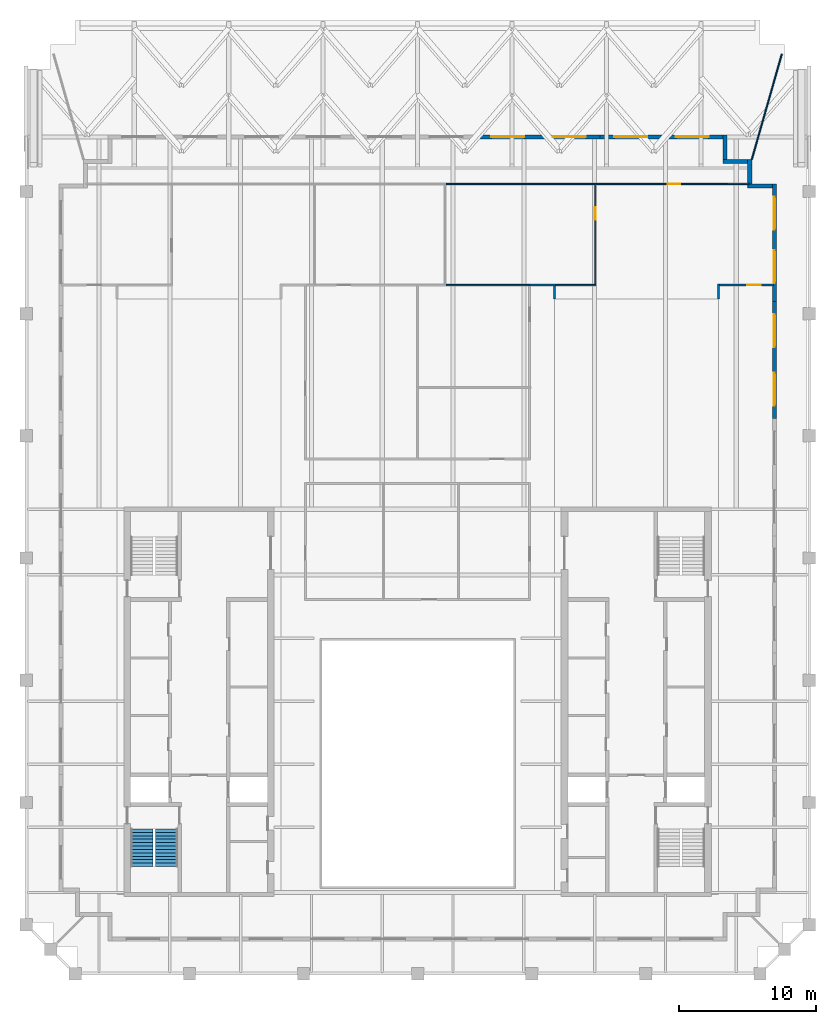
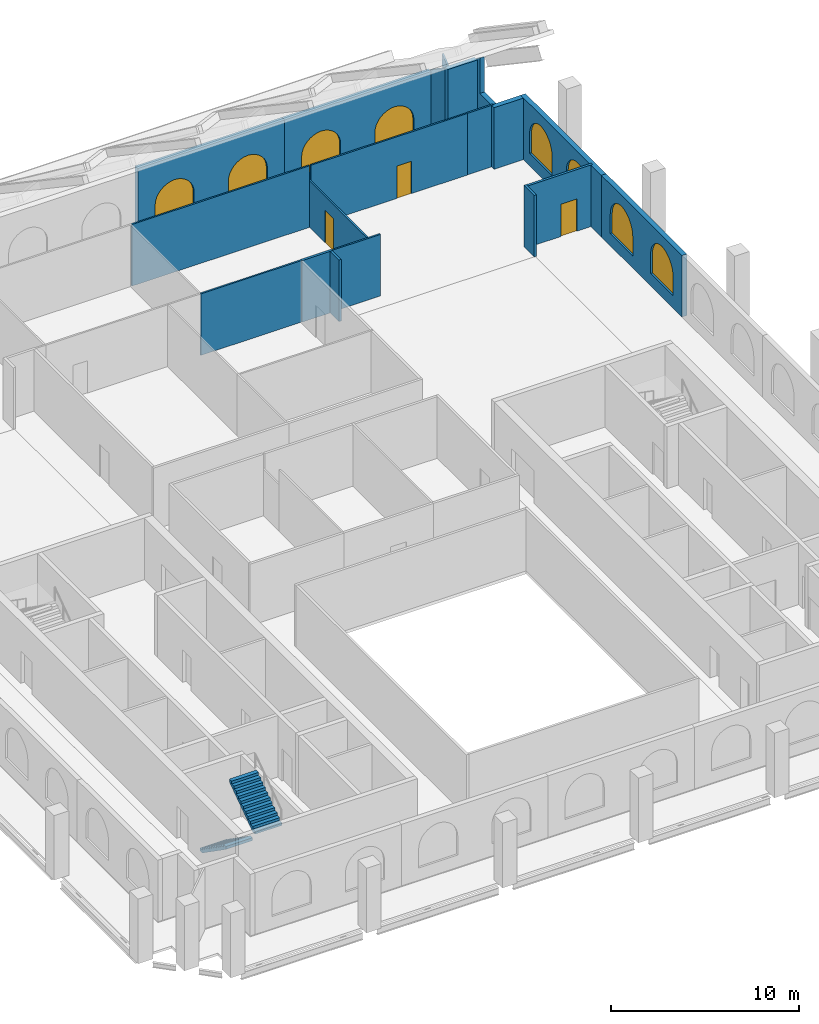
# One storey, part 8 of 10: 19 walls, 8 windows, 3 doors, 2 stair flights, 11 openings, 1 element without a shape of its own.
"""IFC4 building model written with IfcOpenShell, lengths in metres."""

from ifc_helpers import new_model, si_unit, direction, frame, frame_2d, origin, place, context, subcontext, project, spatial, polyline, rectangle, outline, extrude, material, layer, layer_set, type_object, element, fill, aggregate, save


model = new_model("IFC4")

# Units and contexts
model_context = context("Model", 3, precision=1e-05, world=origin(), true_north=direction((0.0, 1.0)))
body_context = subcontext(model_context, "Body", "Model", "MODEL_VIEW")
ifc_project = project(units=[si_unit("LENGTHUNIT", "METRE"), si_unit("AREAUNIT", "SQUARE_METRE"), si_unit("VOLUMEUNIT", "CUBIC_METRE"), si_unit("PLANEANGLEUNIT", "RADIAN"), si_unit("MASSUNIT", "GRAM", prefix="KILO")], contexts=[model_context])

# Site, building, storey
site_placement = place(None, origin())
site = spatial("IfcSite", under=ifc_project, at=site_placement, CompositionType="ELEMENT")
building_placement = place(site_placement, origin())
building = spatial("IfcBuilding", under=site, at=building_placement, Name="Ogive Exchange Tower", CompositionType="ELEMENT")
storey_placement = place(building_placement, frame((0.0, 0.0, 369.0)))
storey = spatial("IfcBuildingStorey", under=building, at=storey_placement, Name="C01", CompositionType="ELEMENT", Elevation=369.0)

# Walls
ifc_material_1 = material(Name="Fire partition EI 60 150")
ifc_layer_1 = layer(ifc_material_1, 0.14990234375)
ifc_layer_set_1 = layer_set([ifc_layer_1], Name="Fire partition EI 60 150")
wall_type_1 = type_object("IfcWallType", Name="Fire partition EI 60 150", PredefinedType="PARTITIONING", material=ifc_layer_set_1)
wall_1_placement = place(storey_placement, frame((8.199951171875, 42.0, 0.0), z_axis=(0.0, 0.0, 1.0), x_axis=(1.0, 0.0, 0.0)))
element("IfcWall", 1, at=wall_1_placement, inside=storey, type_object=wall_type_1, Name="C01-PWL-035", PredefinedType="PARTITIONING", context=body_context, shape_type="SweptSolid", body=[
    extrude(rectangle(XDim=1.875, YDim=0.14990234375, at=frame_2d((0.9375, 0.0))), origin(), (0.0, 0.0, 1.0), 4.0),
])
wall_2_placement = place(storey_placement, frame((10.0, 41.925048828125, 0.0), z_axis=(0.0, 0.0, 1.0), x_axis=(0.0, -1.0, 0.0)))
element("IfcWall", 2, at=wall_2_placement, inside=storey, type_object=wall_type_1, Name="C01-PWL-036", PredefinedType="PARTITIONING", context=body_context, shape_type="SweptSolid", body=[
    extrude(rectangle(XDim=0.93505859375, YDim=0.14990234375, at=frame_2d((0.467529296875, 0.0))), origin(), (0.0, 0.0, 1.0), 4.0),
])
wall_3_placement = place(storey_placement, frame((22.0, 40.989990234375, 0.0), z_axis=(0.0, 0.0, 1.0), x_axis=(0.0, 1.0, 0.0)))
element("IfcWall", 3, at=wall_3_placement, inside=storey, type_object=wall_type_1, Name="C01-PWL-040", PredefinedType="PARTITIONING", context=body_context, shape_type="SweptSolid", body=[
    extrude(rectangle(XDim=1.0849609375, YDim=0.14990234375, at=frame_2d((0.54248046875, 0.0))), origin(), (0.0, 0.0, 1.0), 4.0),
])

# Wall, opening, door
wall_4_placement = place(storey_placement, frame((22.074951171875, 42.0, 0.0), z_axis=(0.0, 0.0, 1.0), x_axis=(1.0, 0.0, 0.0)))
wall_4 = element("IfcWall", 4, at=wall_4_placement, inside=storey, type_object=wall_type_1, Name="C01-PWL-041", PredefinedType="PARTITIONING", context=body_context, shape_type="SweptSolid", body=[
    extrude(rectangle(XDim=3.97509765625, YDim=0.14990234375, at=frame_2d((1.987548828125, 0.0))), origin(), (0.0, 0.0, 1.0), 4.0),
])
opening_1_placement = place(wall_4_placement, frame((2.02490234375, 0.0, 0.0)))
opening_1 = element("IfcOpeningElement", 5, at=opening_1_placement, cuts=wall_4, Name="Opening C01-I05", PredefinedType="OPENING", context=body_context, shape_type="SweptSolid", body=[
    extrude(rectangle(XDim=1.0, YDim=2.10009765625, at=frame_2d((0.5, 1.050048828125))), frame((0.0, 0.0849609375, 0.0), z_axis=(0.0, -1.0, 0.0), x_axis=(1.0, 0.0, 0.0)), (0.0, 0.0, 1.0), 0.169921875),
])
ifc_material_2 = material(Name="Fire door FD 30S 1000 x 2100")
door_type_1 = type_object("IfcDoorType", Name="Fire door FD 30S 1000 x 2100", OperationType="NOTDEFINED", PredefinedType="DOOR", material=ifc_material_2)
door_1_placement = place(opening_1_placement, origin())
door_1 = element("IfcDoor", 6, at=door_1_placement, inside=storey, type_object=door_type_1, Name="C01-IDR-005", ObjectType="DT3", OperationType="SINGLE_SWING_LEFT", OverallHeight=2.10009765625, OverallWidth=1.0, PredefinedType="DOOR", context=body_context, shape_type="SweptSolid", body=[
    extrude(rectangle(XDim=1.0, YDim=2.10009765625, at=frame_2d((0.5, 1.050048828125))), frame((0.0, 0.02490234375, 0.0), z_axis=(0.0, -1.0, 0.0), x_axis=(1.0, 0.0, 0.0)), (0.0, 0.0, 1.0), 0.050048828125),
])
fill(opening_1, door_1)

# Walls
ifc_material_3 = material(Name="Laminated safety glass in steel frame", Category="steel")
ifc_layer_2 = layer(ifc_material_3, 0.10009765625)
ifc_layer_set_2 = layer_set([ifc_layer_2], Name="Loggia end screen 100")
wall_type_2 = type_object("IfcWallType", Name="Loggia end screen 100", PredefinedType="STANDARD", material=ifc_layer_set_2)
wall_5_placement = place(storey_placement, frame((24.449951171875, 51.199951171875, -0.050048828125), z_axis=(0.0, 0.0, 1.0), x_axis=(0.274713075766, 0.961526248213, 0.0)))
element("IfcWall", 7, at=wall_5_placement, inside=storey, type_object=wall_type_2, Name="Loggia end screen C2", PredefinedType="STANDARD", context=body_context, shape_type="SweptSolid", body=[
    extrude(rectangle(XDim=8.009033203125, YDim=0.10009765625, at=frame_2d((4.00439453125, 0.0))), origin(), (0.0, 0.0, 1.0), 0.768310546875),
])
ifc_material_4 = material(Name="Partition 100 gypsum")
ifc_layer_3 = layer(ifc_material_4, 0.10009765625)
ifc_layer_set_3 = layer_set([ifc_layer_3], Name="Partition 100 gypsum")
wall_type_3 = type_object("IfcWallType", Name="Partition 100 gypsum", PredefinedType="PARTITIONING", material=ifc_layer_set_3)
wall_6_placement = place(storey_placement, frame((2.0, 42.0, 0.0), z_axis=(0.0, 0.0, 1.0), x_axis=(1.0, 0.0, 0.0)))
element("IfcWall", 8, at=wall_6_placement, inside=storey, type_object=wall_type_3, Name="C01-PWL-026", PredefinedType="PARTITIONING", context=body_context, shape_type="SweptSolid", body=[
    extrude(rectangle(XDim=6.199951171875, YDim=0.10009765625, at=frame_2d((3.10009765625, 0.0))), origin(), (0.0, 0.0, 1.0), 4.0),
])
wall_7_placement = place(storey_placement, frame((10.074951171875, 42.0, 0.0), z_axis=(0.0, 0.0, 1.0), x_axis=(1.0, 0.0, 0.0)))
element("IfcWall", 9, at=wall_7_placement, inside=storey, type_object=wall_type_3, Name="C01-PWL-037", PredefinedType="PARTITIONING", context=body_context, shape_type="SweptSolid", body=[
    extrude(rectangle(XDim=2.97509765625, YDim=0.10009765625, at=frame_2d((1.487548828125, 0.0))), origin(), (0.0, 0.0, 1.0), 4.0),
])

# Wall, opening, door
wall_8_placement = place(storey_placement, frame((13.0, 42.050048828125, 0.0), z_axis=(0.0, 0.0, 1.0), x_axis=(0.0, 1.0, 0.0)))
wall_8 = element("IfcWall", 10, at=wall_8_placement, inside=storey, type_object=wall_type_3, Name="C01-PWL-038", PredefinedType="PARTITIONING", context=body_context, shape_type="SweptSolid", body=[
    extrude(rectangle(XDim=7.39990234375, YDim=0.10009765625, at=frame_2d((3.699951171875, 0.0))), origin(), (0.0, 0.0, 1.0), 3.02001953125),
])
opening_2_placement = place(wall_8_placement, frame((4.75, 0.0, 0.0)))
opening_2 = element("IfcOpeningElement", 11, at=opening_2_placement, cuts=wall_8, Name="Opening C01-I06", PredefinedType="OPENING", context=body_context, shape_type="SweptSolid", body=[
    extrude(rectangle(XDim=0.89990234375, YDim=2.10009765625, at=frame_2d((0.449951171875, 1.050048828125))), frame((0.0, 0.06005859375, 0.0), z_axis=(0.0, -1.0, 0.0), x_axis=(1.0, 0.0, 0.0)), (0.0, 0.0, 1.0), 0.1201171875),
])
ifc_material_5 = material(Name="Door 900 x 2100")
door_type_2 = type_object("IfcDoorType", Name="Door 900 x 2100", OperationType="NOTDEFINED", PredefinedType="DOOR", material=ifc_material_5)
door_2_placement = place(opening_2_placement, origin())
door_2 = element("IfcDoor", 12, at=door_2_placement, inside=storey, type_object=door_type_2, Name="C01-IDR-006", ObjectType="DT1", OperationType="SINGLE_SWING_LEFT", OverallHeight=2.10009765625, OverallWidth=0.89990234375, PredefinedType="DOOR", context=body_context, shape_type="SweptSolid", body=[
    extrude(rectangle(XDim=0.89990234375, YDim=2.10009765625, at=frame_2d((0.449951171875, 1.050048828125))), frame((0.0, 0.02490234375, 0.0), z_axis=(0.0, -1.0, 0.0), x_axis=(1.0, 0.0, 0.0)), (0.0, 0.0, 1.0), 0.050048828125),
])
fill(opening_2, door_2)

# Wall
wall_9_placement = place(storey_placement, frame((12.949951171875, 49.39990234375, 0.0), z_axis=(0.0, 0.0, 1.0), x_axis=(-1.0, 0.0, 0.0)))
element("IfcWall", 13, at=wall_9_placement, inside=storey, type_object=wall_type_3, Name="C01-PWL-039", PredefinedType="PARTITIONING", context=body_context, shape_type="SweptSolid", body=[
    extrude(rectangle(XDim=10.89990234375, YDim=0.10009765625, at=frame_2d((5.449951171875, 0.0))), origin(), (0.0, 0.0, 1.0), 4.0),
])

# Wall, opening, door
wall_10_placement = place(storey_placement, frame((22.659912109375, 49.39990234375, 0.0), z_axis=(0.0, 0.0, 1.0), x_axis=(-1.0, 0.0, 0.0)))
wall_10 = element("IfcWall", 14, at=wall_10_placement, inside=storey, type_object=wall_type_3, Name="C01-PWL-042", PredefinedType="PARTITIONING", context=body_context, shape_type="SweptSolid", body=[
    extrude(rectangle(XDim=9.60986328125, YDim=0.10009765625, at=frame_2d((4.804931640625, 0.0))), origin(), (0.0, 0.0, 1.0), 4.0),
])
opening_3_placement = place(wall_10_placement, frame((3.449951171875, 0.0, 0.0)))
opening_3 = element("IfcOpeningElement", 15, at=opening_3_placement, cuts=wall_10, Name="Opening C01-I01", PredefinedType="OPENING", context=body_context, shape_type="SweptSolid", body=[
    extrude(rectangle(XDim=0.89990234375, YDim=2.10009765625, at=frame_2d((0.449951171875, 1.050048828125))), frame((0.0, 0.06005859375, 0.0), z_axis=(0.0, -1.0, 0.0), x_axis=(1.0, 0.0, 0.0)), (0.0, 0.0, 1.0), 0.1201171875),
])
door_3_placement = place(opening_3_placement, origin())
door_3 = element("IfcDoor", 16, at=door_3_placement, inside=storey, type_object=door_type_2, Name="C01-IDR-001", ObjectType="DT1", OperationType="SINGLE_SWING_RIGHT", OverallHeight=2.10009765625, OverallWidth=0.89990234375, PredefinedType="DOOR", context=body_context, shape_type="SweptSolid", body=[
    extrude(rectangle(XDim=0.89990234375, YDim=2.10009765625, at=frame_2d((0.449951171875, 1.050048828125))), frame((0.0, 0.02490234375, 0.0), z_axis=(0.0, -1.0, 0.0), x_axis=(1.0, 0.0, 0.0)), (0.0, 0.0, 1.0), 0.050048828125),
])
fill(opening_3, door_3)

# Wall
wall_11_placement = place(storey_placement, frame((24.25, 49.409912109375, 0.0), z_axis=(0.0, 0.0, 1.0), x_axis=(-1.0, 0.0, 0.0)))
element("IfcWall", 17, at=wall_11_placement, inside=storey, type_object=wall_type_3, Name="C01-PWL-043", PredefinedType="PARTITIONING", context=body_context, shape_type="SweptSolid", body=[
    extrude(rectangle(XDim=1.590087890625, YDim=0.10009765625, at=frame_2d((0.794921875, 0.0))), origin(), (0.0, 0.0, 1.0), 4.0),
])

# Wall, openings, windows
ifc_material_6 = material(Name="Precast concrete C40/50", Category="concrete")
ifc_layer_4 = layer(ifc_material_6, 0.300048828125)
ifc_layer_set_4 = layer_set([ifc_layer_4], Name="Zinc-clad crown wall 300")
wall_type_4 = type_object("IfcWallType", Name="Zinc-clad crown wall 300", PredefinedType="STANDARD", material=ifc_layer_set_4)
wall_12_placement = place(storey_placement, frame((26.10009765625, 32.2333984375, 0.0), z_axis=(0.0, 0.0, 1.0), x_axis=(0.0, 1.0, 0.0)))
wall_12 = element("IfcWall", 18, at=wall_12_placement, inside=storey, type_object=wall_type_4, Name="Crown wall 17", PredefinedType="STANDARD", context=body_context, shape_type="SweptSolid", body=[
    extrude(rectangle(XDim=8.583251953125, YDim=0.300048828125, at=frame_2d((4.29150390625, 0.0))), origin(), (0.0, 0.0, 1.0), 4.0),
])
opening_4_placement = place(wall_12_placement, frame((0.94580078125, 0.0, 0.800048828125)))
opening_4 = element("IfcOpeningElement", 19, at=opening_4_placement, cuts=wall_12, Name="Opening WC25", PredefinedType="OPENING", context=body_context, shape_type="SweptSolid", body=[
    extrude(outline(polyline([(0.0, 0.0), (2.39990234375, 0.0), (2.39990234375, 1.25), (2.377197265625, 1.48779296875), (2.3095703125, 1.717041015625), (2.19970703125, 1.928955078125), (2.05126953125, 2.116455078125), (1.8701171875, 2.272216796875), (1.662841796875, 2.390625), (1.4365234375, 2.467529296875), (1.199951171875, 2.5), (0.96337890625, 2.467529296875), (0.737060546875, 2.390625), (0.52978515625, 2.272216796875), (0.3486328125, 2.116455078125), (0.2001953125, 1.928955078125), (0.09033203125, 1.717041015625), (0.022705078125, 1.48779296875), (0.0, 1.25), (0.0, 0.0)])), frame((0.0, 0.159912109375, 0.0), z_axis=(0.0, -1.0, 0.0), x_axis=(1.0, 0.0, 0.0)), (0.0, 0.0, 1.0), 0.320068359375),
])
opening_5_placement = place(wall_12_placement, frame((5.237548828125, 0.0, 0.800048828125)))
opening_5 = element("IfcOpeningElement", 20, at=opening_5_placement, cuts=wall_12, Name="Opening WC25", PredefinedType="OPENING", context=body_context, shape_type="SweptSolid", body=[
    extrude(outline(polyline([(0.0, 0.0), (2.39990234375, 0.0), (2.39990234375, 1.25), (2.377197265625, 1.48779296875), (2.3095703125, 1.717041015625), (2.19970703125, 1.928955078125), (2.05126953125, 2.116455078125), (1.8701171875, 2.272216796875), (1.662841796875, 2.390625), (1.4365234375, 2.467529296875), (1.199951171875, 2.5), (0.96337890625, 2.467529296875), (0.737060546875, 2.390625), (0.52978515625, 2.272216796875), (0.3486328125, 2.116455078125), (0.2001953125, 1.928955078125), (0.09033203125, 1.717041015625), (0.022705078125, 1.48779296875), (0.0, 1.25), (0.0, 0.0)])), frame((0.0, 0.159912109375, 0.0), z_axis=(0.0, -1.0, 0.0), x_axis=(1.0, 0.0, 0.0)), (0.0, 0.0, 1.0), 0.320068359375),
])
ifc_material_7 = material(Name="Clear glass in bronze frame", Category="glass")
window_type = type_object("IfcWindowType", Name="Crown lancet window 2400 x 2500", PartitioningType="DOUBLE_PANEL_VERTICAL", PredefinedType="WINDOW", material=ifc_material_7)
window_1_placement = place(opening_4_placement, origin())
window_1 = element("IfcWindow", 21, at=window_1_placement, inside=storey, type_object=window_type, Name="Crown lancet 17.1", OverallHeight=2.5, OverallWidth=2.39990234375, PartitioningType="DOUBLE_PANEL_VERTICAL", PredefinedType="WINDOW", context=body_context, shape_type="SweptSolid", body=[
    extrude(outline(polyline([(0.0, 0.0), (2.39990234375, 0.0), (2.39990234375, 1.25), (2.377197265625, 1.48779296875), (2.3095703125, 1.717041015625), (2.19970703125, 1.928955078125), (2.05126953125, 2.116455078125), (1.8701171875, 2.272216796875), (1.662841796875, 2.390625), (1.4365234375, 2.467529296875), (1.199951171875, 2.5), (0.96337890625, 2.467529296875), (0.737060546875, 2.390625), (0.52978515625, 2.272216796875), (0.3486328125, 2.116455078125), (0.2001953125, 1.928955078125), (0.09033203125, 1.717041015625), (0.022705078125, 1.48779296875), (0.0, 1.25), (0.0, 0.0)])), frame((0.0, 0.030029296875, 0.0), z_axis=(0.0, -1.0, 0.0), x_axis=(1.0, 0.0, 0.0)), (0.0, 0.0, 1.0), 0.06005859375),
])
fill(opening_4, window_1)
window_2_placement = place(opening_5_placement, origin())
window_2 = element("IfcWindow", 22, at=window_2_placement, inside=storey, type_object=window_type, Name="Crown lancet 17.2", OverallHeight=2.5, OverallWidth=2.39990234375, PartitioningType="DOUBLE_PANEL_VERTICAL", PredefinedType="WINDOW", context=body_context, shape_type="SweptSolid", body=[
    extrude(outline(polyline([(0.0, 0.0), (2.39990234375, 0.0), (2.39990234375, 1.25), (2.377197265625, 1.48779296875), (2.3095703125, 1.717041015625), (2.19970703125, 1.928955078125), (2.05126953125, 2.116455078125), (1.8701171875, 2.272216796875), (1.662841796875, 2.390625), (1.4365234375, 2.467529296875), (1.199951171875, 2.5), (0.96337890625, 2.467529296875), (0.737060546875, 2.390625), (0.52978515625, 2.272216796875), (0.3486328125, 2.116455078125), (0.2001953125, 1.928955078125), (0.09033203125, 1.717041015625), (0.022705078125, 1.48779296875), (0.0, 1.25), (0.0, 0.0)])), frame((0.0, 0.030029296875, 0.0), z_axis=(0.0, -1.0, 0.0), x_axis=(1.0, 0.0, 0.0)), (0.0, 0.0, 1.0), 0.06005859375),
])
fill(opening_5, window_2)

wall_13_placement = place(storey_placement, frame((26.10009765625, 40.816650390625, 0.0), z_axis=(0.0, 0.0, 1.0), x_axis=(0.0, 1.0, 0.0)))
wall_13 = element("IfcWall", 23, at=wall_13_placement, inside=storey, type_object=wall_type_4, Name="Crown wall 18", PredefinedType="STANDARD", context=body_context, shape_type="SweptSolid", body=[
    extrude(rectangle(XDim=8.583251953125, YDim=0.300048828125, at=frame_2d((4.29150390625, 0.0))), origin(), (0.0, 0.0, 1.0), 4.0),
])
opening_6_placement = place(wall_13_placement, frame((1.333251953125, 0.0, 0.800048828125)))
opening_6 = element("IfcOpeningElement", 24, at=opening_6_placement, cuts=wall_13, Name="Opening WC25", PredefinedType="OPENING", context=body_context, shape_type="SweptSolid", body=[
    extrude(outline(polyline([(0.0, 0.0), (2.39990234375, 0.0), (2.39990234375, 1.25), (2.377197265625, 1.48779296875), (2.3095703125, 1.717041015625), (2.19970703125, 1.928955078125), (2.05126953125, 2.116455078125), (1.8701171875, 2.272216796875), (1.662841796875, 2.390625), (1.4365234375, 2.467529296875), (1.199951171875, 2.5), (0.96337890625, 2.467529296875), (0.737060546875, 2.390625), (0.52978515625, 2.272216796875), (0.3486328125, 2.116455078125), (0.2001953125, 1.928955078125), (0.09033203125, 1.717041015625), (0.022705078125, 1.48779296875), (0.0, 1.25), (0.0, 0.0)])), frame((0.0, 0.159912109375, 0.0), z_axis=(0.0, -1.0, 0.0), x_axis=(1.0, 0.0, 0.0)), (0.0, 0.0, 1.0), 0.320068359375),
])
opening_7_placement = place(wall_13_placement, frame((5.237548828125, 0.0, 0.800048828125)))
opening_7 = element("IfcOpeningElement", 25, at=opening_7_placement, cuts=wall_13, Name="Opening WC25", PredefinedType="OPENING", context=body_context, shape_type="SweptSolid", body=[
    extrude(outline(polyline([(0.0, 0.0), (2.39990234375, 0.0), (2.39990234375, 1.25), (2.377197265625, 1.48779296875), (2.3095703125, 1.717041015625), (2.19970703125, 1.928955078125), (2.05126953125, 2.116455078125), (1.8701171875, 2.272216796875), (1.662841796875, 2.390625), (1.4365234375, 2.467529296875), (1.199951171875, 2.5), (0.96337890625, 2.467529296875), (0.737060546875, 2.390625), (0.52978515625, 2.272216796875), (0.3486328125, 2.116455078125), (0.2001953125, 1.928955078125), (0.09033203125, 1.717041015625), (0.022705078125, 1.48779296875), (0.0, 1.25), (0.0, 0.0)])), frame((0.0, 0.159912109375, 0.0), z_axis=(0.0, -1.0, 0.0), x_axis=(1.0, 0.0, 0.0)), (0.0, 0.0, 1.0), 0.320068359375),
])
window_3_placement = place(opening_6_placement, origin())
window_3 = element("IfcWindow", 26, at=window_3_placement, inside=storey, type_object=window_type, Name="Crown lancet 18.1", OverallHeight=2.5, OverallWidth=2.39990234375, PartitioningType="DOUBLE_PANEL_VERTICAL", PredefinedType="WINDOW", context=body_context, shape_type="SweptSolid", body=[
    extrude(outline(polyline([(0.0, 0.0), (2.39990234375, 0.0), (2.39990234375, 1.25), (2.377197265625, 1.48779296875), (2.3095703125, 1.717041015625), (2.19970703125, 1.928955078125), (2.05126953125, 2.116455078125), (1.8701171875, 2.272216796875), (1.662841796875, 2.390625), (1.4365234375, 2.467529296875), (1.199951171875, 2.5), (0.96337890625, 2.467529296875), (0.737060546875, 2.390625), (0.52978515625, 2.272216796875), (0.3486328125, 2.116455078125), (0.2001953125, 1.928955078125), (0.09033203125, 1.717041015625), (0.022705078125, 1.48779296875), (0.0, 1.25), (0.0, 0.0)])), frame((0.0, 0.030029296875, 0.0), z_axis=(0.0, -1.0, 0.0), x_axis=(1.0, 0.0, 0.0)), (0.0, 0.0, 1.0), 0.06005859375),
])
fill(opening_6, window_3)
window_4_placement = place(opening_7_placement, origin())
window_4 = element("IfcWindow", 27, at=window_4_placement, inside=storey, type_object=window_type, Name="Crown lancet 18.2", OverallHeight=2.5, OverallWidth=2.39990234375, PartitioningType="DOUBLE_PANEL_VERTICAL", PredefinedType="WINDOW", context=body_context, shape_type="SweptSolid", body=[
    extrude(outline(polyline([(0.0, 0.0), (2.39990234375, 0.0), (2.39990234375, 1.25), (2.377197265625, 1.48779296875), (2.3095703125, 1.717041015625), (2.19970703125, 1.928955078125), (2.05126953125, 2.116455078125), (1.8701171875, 2.272216796875), (1.662841796875, 2.390625), (1.4365234375, 2.467529296875), (1.199951171875, 2.5), (0.96337890625, 2.467529296875), (0.737060546875, 2.390625), (0.52978515625, 2.272216796875), (0.3486328125, 2.116455078125), (0.2001953125, 1.928955078125), (0.09033203125, 1.717041015625), (0.022705078125, 1.48779296875), (0.0, 1.25), (0.0, 0.0)])), frame((0.0, 0.030029296875, 0.0), z_axis=(0.0, -1.0, 0.0), x_axis=(1.0, 0.0, 0.0)), (0.0, 0.0, 1.0), 0.06005859375),
])
fill(opening_7, window_4)

# Walls
wall_14_placement = place(storey_placement, frame((25.949951171875, 49.25, 0.0), z_axis=(0.0, 0.0, 1.0), x_axis=(-1.0, 0.0, 0.0)))
element("IfcWall", 28, at=wall_14_placement, inside=storey, type_object=wall_type_4, Name="Crown wall 19", PredefinedType="STANDARD", context=body_context, shape_type="SweptSolid", body=[
    extrude(rectangle(XDim=1.800048828125, YDim=0.300048828125, at=frame_2d((0.89990234375, 0.0))), origin(), (0.0, 0.0, 1.0), 4.0),
])
wall_15_placement = place(storey_placement, frame((24.300048828125, 49.39990234375, 0.0), z_axis=(0.0, 0.0, 1.0), x_axis=(0.0, 1.0, 0.0)))
element("IfcWall", 29, at=wall_15_placement, inside=storey, type_object=wall_type_4, Name="Crown wall 20", PredefinedType="STANDARD", context=body_context, shape_type="SweptSolid", body=[
    extrude(outline(polyline([(0.0, 0.0), (1.800048828125, 0.0), (1.800048828125, 5.91259765625), (1.2392578125, 6.290771484375), (1.227783203125, 6.2978515625), (1.227783203125, 4.0), (0.0, 4.0), (0.0, 0.0)])), frame((0.0, 0.14990234375, 0.0), z_axis=(0.0, -1.0, 0.0), x_axis=(1.0, 0.0, 0.0)), (0.0, 0.0, 1.0), 0.300048828125),
])
wall_16_placement = place(storey_placement, frame((24.14990234375, 51.050048828125, 0.0), z_axis=(0.0, 0.0, 1.0), x_axis=(-1.0, 0.0, 0.0)))
element("IfcWall", 30, at=wall_16_placement, inside=storey, type_object=wall_type_4, Name="Crown wall 21", PredefinedType="STANDARD", context=body_context, shape_type="SweptSolid", body=[
    extrude(rectangle(XDim=1.7998046875, YDim=0.300048828125, at=frame_2d((0.89990234375, 0.0))), origin(), (0.0, 0.0, 1.0), 6.013671875),
])
wall_17_placement = place(storey_placement, frame((22.5, 51.199951171875, 0.0), z_axis=(0.0, 0.0, 1.0), x_axis=(0.0, 1.0, 0.0)))
element("IfcWall", 31, at=wall_17_placement, inside=storey, type_object=wall_type_4, Name="Crown wall 22", PredefinedType="STANDARD", context=body_context, shape_type="SweptSolid", body=[
    extrude(outline(polyline([(0.0, 0.0), (1.800048828125, 0.0), (1.800048828125, 4.698486328125), (0.0, 5.91259765625), (0.0, 0.0)])), frame((0.0, 0.14990234375, 0.0), z_axis=(0.0, -1.0, 0.0), x_axis=(1.0, 0.0, 0.0)), (0.0, 0.0, 1.0), 0.300048828125),
])

# Wall, openings, windows
wall_18_placement = place(storey_placement, frame((22.35009765625, 52.85009765625, 0.0), z_axis=(0.0, 0.0, 1.0), x_axis=(-1.0, 0.0, 0.0)))
wall_18 = element("IfcWall", 32, at=wall_18_placement, inside=storey, type_object=wall_type_4, Name="Crown wall 23", PredefinedType="STANDARD", context=body_context, shape_type="SweptSolid", body=[
    extrude(rectangle(XDim=9.0, YDim=0.300048828125, at=frame_2d((4.5, 0.0))), origin(), (0.0, 0.0, 1.0), 4.799560546875),
])
opening_8_placement = place(wall_18_placement, frame((1.050048828125, 0.0, 0.800048828125)))
opening_8 = element("IfcOpeningElement", 33, at=opening_8_placement, cuts=wall_18, Name="Opening WC25", PredefinedType="OPENING", context=body_context, shape_type="SweptSolid", body=[
    extrude(outline(polyline([(0.0, 0.0), (2.39990234375, 0.0), (2.39990234375, 1.25), (2.377197265625, 1.48779296875), (2.3095703125, 1.717041015625), (2.19970703125, 1.928955078125), (2.05126953125, 2.116455078125), (1.8701171875, 2.272216796875), (1.662841796875, 2.390625), (1.4365234375, 2.467529296875), (1.199951171875, 2.5), (0.96337890625, 2.467529296875), (0.737060546875, 2.390625), (0.52978515625, 2.272216796875), (0.3486328125, 2.116455078125), (0.2001953125, 1.928955078125), (0.09033203125, 1.717041015625), (0.022705078125, 1.48779296875), (0.0, 1.25), (0.0, 0.0)])), frame((0.0, 0.159912109375, 0.0), z_axis=(0.0, -1.0, 0.0), x_axis=(1.0, 0.0, 0.0)), (0.0, 0.0, 1.0), 0.320068359375),
])
opening_9_placement = place(wall_18_placement, frame((5.550048828125, 0.0, 0.800048828125)))
opening_9 = element("IfcOpeningElement", 34, at=opening_9_placement, cuts=wall_18, Name="Opening WC25", PredefinedType="OPENING", context=body_context, shape_type="SweptSolid", body=[
    extrude(outline(polyline([(0.0, 0.0), (2.39990234375, 0.0), (2.39990234375, 1.25), (2.377197265625, 1.48779296875), (2.3095703125, 1.717041015625), (2.19970703125, 1.928955078125), (2.05126953125, 2.116455078125), (1.8701171875, 2.272216796875), (1.662841796875, 2.390625), (1.4365234375, 2.467529296875), (1.199951171875, 2.5), (0.96337890625, 2.467529296875), (0.737060546875, 2.390625), (0.52978515625, 2.272216796875), (0.3486328125, 2.116455078125), (0.2001953125, 1.928955078125), (0.09033203125, 1.717041015625), (0.022705078125, 1.48779296875), (0.0, 1.25), (0.0, 0.0)])), frame((0.0, 0.159912109375, 0.0), z_axis=(0.0, -1.0, 0.0), x_axis=(1.0, 0.0, 0.0)), (0.0, 0.0, 1.0), 0.320068359375),
])
window_5_placement = place(opening_8_placement, origin())
window_5 = element("IfcWindow", 35, at=window_5_placement, inside=storey, type_object=window_type, Name="Crown lancet 23.1", OverallHeight=2.5, OverallWidth=2.39990234375, PartitioningType="DOUBLE_PANEL_VERTICAL", PredefinedType="WINDOW", context=body_context, shape_type="SweptSolid", body=[
    extrude(outline(polyline([(0.0, 0.0), (2.39990234375, 0.0), (2.39990234375, 1.25), (2.377197265625, 1.48779296875), (2.3095703125, 1.717041015625), (2.19970703125, 1.928955078125), (2.05126953125, 2.116455078125), (1.8701171875, 2.272216796875), (1.662841796875, 2.390625), (1.4365234375, 2.467529296875), (1.199951171875, 2.5), (0.96337890625, 2.467529296875), (0.737060546875, 2.390625), (0.52978515625, 2.272216796875), (0.3486328125, 2.116455078125), (0.2001953125, 1.928955078125), (0.09033203125, 1.717041015625), (0.022705078125, 1.48779296875), (0.0, 1.25), (0.0, 0.0)])), frame((0.0, 0.030029296875, 0.0), z_axis=(0.0, -1.0, 0.0), x_axis=(1.0, 0.0, 0.0)), (0.0, 0.0, 1.0), 0.06005859375),
])
fill(opening_8, window_5)
window_6_placement = place(opening_9_placement, origin())
window_6 = element("IfcWindow", 36, at=window_6_placement, inside=storey, type_object=window_type, Name="Crown lancet 23.2", OverallHeight=2.5, OverallWidth=2.39990234375, PartitioningType="DOUBLE_PANEL_VERTICAL", PredefinedType="WINDOW", context=body_context, shape_type="SweptSolid", body=[
    extrude(outline(polyline([(0.0, 0.0), (2.39990234375, 0.0), (2.39990234375, 1.25), (2.377197265625, 1.48779296875), (2.3095703125, 1.717041015625), (2.19970703125, 1.928955078125), (2.05126953125, 2.116455078125), (1.8701171875, 2.272216796875), (1.662841796875, 2.390625), (1.4365234375, 2.467529296875), (1.199951171875, 2.5), (0.96337890625, 2.467529296875), (0.737060546875, 2.390625), (0.52978515625, 2.272216796875), (0.3486328125, 2.116455078125), (0.2001953125, 1.928955078125), (0.09033203125, 1.717041015625), (0.022705078125, 1.48779296875), (0.0, 1.25), (0.0, 0.0)])), frame((0.0, 0.030029296875, 0.0), z_axis=(0.0, -1.0, 0.0), x_axis=(1.0, 0.0, 0.0)), (0.0, 0.0, 1.0), 0.06005859375),
])
fill(opening_9, window_6)

wall_19_placement = place(storey_placement, frame((13.35009765625, 52.85009765625, 0.0), z_axis=(0.0, 0.0, 1.0), x_axis=(-1.0, 0.0, 0.0)))
wall_19 = element("IfcWall", 37, at=wall_19_placement, inside=storey, type_object=wall_type_4, Name="Crown wall 24", PredefinedType="STANDARD", context=body_context, shape_type="SweptSolid", body=[
    extrude(rectangle(XDim=9.0, YDim=0.300048828125, at=frame_2d((4.5, 0.0))), origin(), (0.0, 0.0, 1.0), 4.799560546875),
])
opening_10_placement = place(wall_19_placement, frame((1.050048828125, 0.0, 0.800048828125)))
opening_10 = element("IfcOpeningElement", 38, at=opening_10_placement, cuts=wall_19, Name="Opening WC25", PredefinedType="OPENING", context=body_context, shape_type="SweptSolid", body=[
    extrude(outline(polyline([(0.0, 0.0), (2.39990234375, 0.0), (2.39990234375, 1.25), (2.377197265625, 1.48779296875), (2.3095703125, 1.717041015625), (2.19970703125, 1.928955078125), (2.05126953125, 2.116455078125), (1.8701171875, 2.272216796875), (1.662841796875, 2.390625), (1.4365234375, 2.467529296875), (1.199951171875, 2.5), (0.96337890625, 2.467529296875), (0.737060546875, 2.390625), (0.52978515625, 2.272216796875), (0.3486328125, 2.116455078125), (0.2001953125, 1.928955078125), (0.09033203125, 1.717041015625), (0.022705078125, 1.48779296875), (0.0, 1.25), (0.0, 0.0)])), frame((0.0, 0.159912109375, 0.0), z_axis=(0.0, -1.0, 0.0), x_axis=(1.0, 0.0, 0.0)), (0.0, 0.0, 1.0), 0.320068359375),
])
opening_11_placement = place(wall_19_placement, frame((5.550048828125, 0.0, 0.800048828125)))
opening_11 = element("IfcOpeningElement", 39, at=opening_11_placement, cuts=wall_19, Name="Opening WC25", PredefinedType="OPENING", context=body_context, shape_type="SweptSolid", body=[
    extrude(outline(polyline([(0.0, 0.0), (2.39990234375, 0.0), (2.39990234375, 1.25), (2.377197265625, 1.48779296875), (2.3095703125, 1.717041015625), (2.19970703125, 1.928955078125), (2.05126953125, 2.116455078125), (1.8701171875, 2.272216796875), (1.662841796875, 2.390625), (1.4365234375, 2.467529296875), (1.199951171875, 2.5), (0.96337890625, 2.467529296875), (0.737060546875, 2.390625), (0.52978515625, 2.272216796875), (0.3486328125, 2.116455078125), (0.2001953125, 1.928955078125), (0.09033203125, 1.717041015625), (0.022705078125, 1.48779296875), (0.0, 1.25), (0.0, 0.0)])), frame((0.0, 0.159912109375, 0.0), z_axis=(0.0, -1.0, 0.0), x_axis=(1.0, 0.0, 0.0)), (0.0, 0.0, 1.0), 0.320068359375),
])
window_7_placement = place(opening_10_placement, origin())
window_7 = element("IfcWindow", 40, at=window_7_placement, inside=storey, type_object=window_type, Name="Crown lancet 24.1", OverallHeight=2.5, OverallWidth=2.39990234375, PartitioningType="DOUBLE_PANEL_VERTICAL", PredefinedType="WINDOW", context=body_context, shape_type="SweptSolid", body=[
    extrude(outline(polyline([(0.0, 0.0), (2.39990234375, 0.0), (2.39990234375, 1.25), (2.377197265625, 1.48779296875), (2.3095703125, 1.717041015625), (2.19970703125, 1.928955078125), (2.05126953125, 2.116455078125), (1.8701171875, 2.272216796875), (1.662841796875, 2.390625), (1.4365234375, 2.467529296875), (1.199951171875, 2.5), (0.96337890625, 2.467529296875), (0.737060546875, 2.390625), (0.52978515625, 2.272216796875), (0.3486328125, 2.116455078125), (0.2001953125, 1.928955078125), (0.09033203125, 1.717041015625), (0.022705078125, 1.48779296875), (0.0, 1.25), (0.0, 0.0)])), frame((0.0, 0.030029296875, 0.0), z_axis=(0.0, -1.0, 0.0), x_axis=(1.0, 0.0, 0.0)), (0.0, 0.0, 1.0), 0.06005859375),
])
fill(opening_10, window_7)
window_8_placement = place(opening_11_placement, origin())
window_8 = element("IfcWindow", 41, at=window_8_placement, inside=storey, type_object=window_type, Name="Crown lancet 24.2", OverallHeight=2.5, OverallWidth=2.39990234375, PartitioningType="DOUBLE_PANEL_VERTICAL", PredefinedType="WINDOW", context=body_context, shape_type="SweptSolid", body=[
    extrude(outline(polyline([(0.0, 0.0), (2.39990234375, 0.0), (2.39990234375, 1.25), (2.377197265625, 1.48779296875), (2.3095703125, 1.717041015625), (2.19970703125, 1.928955078125), (2.05126953125, 2.116455078125), (1.8701171875, 2.272216796875), (1.662841796875, 2.390625), (1.4365234375, 2.467529296875), (1.199951171875, 2.5), (0.96337890625, 2.467529296875), (0.737060546875, 2.390625), (0.52978515625, 2.272216796875), (0.3486328125, 2.116455078125), (0.2001953125, 1.928955078125), (0.09033203125, 1.717041015625), (0.022705078125, 1.48779296875), (0.0, 1.25), (0.0, 0.0)])), frame((0.0, 0.030029296875, 0.0), z_axis=(0.0, -1.0, 0.0), x_axis=(1.0, 0.0, 0.0)), (0.0, 0.0, 1.0), 0.06005859375),
])
fill(opening_11, window_8)

# Stair, stair flights
ifc_material_8 = material(Name="Concrete C40/50", Category="concrete")
stair_type = type_object("IfcStairType", Name="Exit stair 1650 wide", PredefinedType="HALF_TURN_STAIR", material=ifc_material_8)
stair_placement = place(storey_placement, origin())
stair = element("IfcStair", 42, at=stair_placement, inside=storey, type_object=stair_type, Name="C01 exit stair ST1", PredefinedType="HALF_TURN_STAIR")
stair_flight_type = type_object("IfcStairFlightType", Name="Stair flight 1650 wide", PredefinedType="STRAIGHT", material=ifc_material_8)
stair_flight_1_placement = place(storey_placement, frame((-20.175048828125, 2.199951171875, 0.0), z_axis=(0.0, 0.0, 1.0), x_axis=(0.0, -1.0, 0.0)))
stair_flight_1 = element("IfcStairFlight", 43, at=stair_flight_1_placement, type_object=stair_flight_type, Name="ST1 flight 1", NumberOfRisers=12, NumberOfTreads=11, PredefinedType="STRAIGHT", RiserHeight=0.175, TreadLength=0.25, context=body_context, shape_type="SweptSolid", body=[
    extrude(outline(polyline([(0.0, 0.0), (0.0, 0.175048828125), (0.25, 0.175048828125), (0.25, 0.35009765625), (0.5, 0.35009765625), (0.5, 0.52490234375), (0.75, 0.52490234375), (0.75, 0.699951171875), (1.0, 0.699951171875), (1.0, 0.875), (1.25, 0.875), (1.25, 1.050048828125), (1.5, 1.050048828125), (1.5, 1.22509765625), (1.75, 1.22509765625), (1.75, 1.39990234375), (2.0, 1.39990234375), (2.0, 1.574951171875), (2.25, 1.574951171875), (2.25, 1.75), (2.5, 1.75), (2.5, 1.925048828125), (2.75, 1.925048828125), (2.75, 2.10009765625), (2.75, 1.741943359375), (0.261474609375, 0.0), (0.0, 0.0)])), frame((0.0, 0.824951171875, 0.0), z_axis=(0.0, -1.0, 0.0), x_axis=(1.0, 0.0, 0.0)), (0.0, 0.0, 1.0), 1.64990234375),
])
stair_flight_2_placement = place(storey_placement, frame((-18.375, -0.550048828125, 2.10009765625), z_axis=(0.0, 0.0, 1.0), x_axis=(0.0, 1.0, 0.0)))
stair_flight_2 = element("IfcStairFlight", 44, at=stair_flight_2_placement, type_object=stair_flight_type, Name="ST1 flight 2", NumberOfRisers=12, NumberOfTreads=11, PredefinedType="STRAIGHT", RiserHeight=0.175, TreadLength=0.25, context=body_context, shape_type="SweptSolid", body=[
    extrude(outline(polyline([(0.0, 0.0), (0.0, 0.175048828125), (0.25, 0.175048828125), (0.25, 0.35009765625), (0.5, 0.35009765625), (0.5, 0.52490234375), (0.75, 0.52490234375), (0.75, 0.699951171875), (1.0, 0.699951171875), (1.0, 0.875), (1.25, 0.875), (1.25, 1.050048828125), (1.5, 1.050048828125), (1.5, 1.22509765625), (1.75, 1.22509765625), (1.75, 1.39990234375), (2.0, 1.39990234375), (2.0, 1.574951171875), (2.25, 1.574951171875), (2.25, 1.75), (2.5, 1.75), (2.5, 1.925048828125), (2.75, 1.925048828125), (2.75, 2.10009765625), (2.75, 1.741943359375), (0.261474609375, 0.0), (0.0, 0.0)])), frame((0.0, 0.824951171875, 0.0), z_axis=(0.0, -1.0, 0.0), x_axis=(1.0, 0.0, 0.0)), (0.0, 0.0, 1.0), 1.64990234375),
])
aggregate(stair, [stair_flight_1, stair_flight_2])

save(model, "model.ifc")
